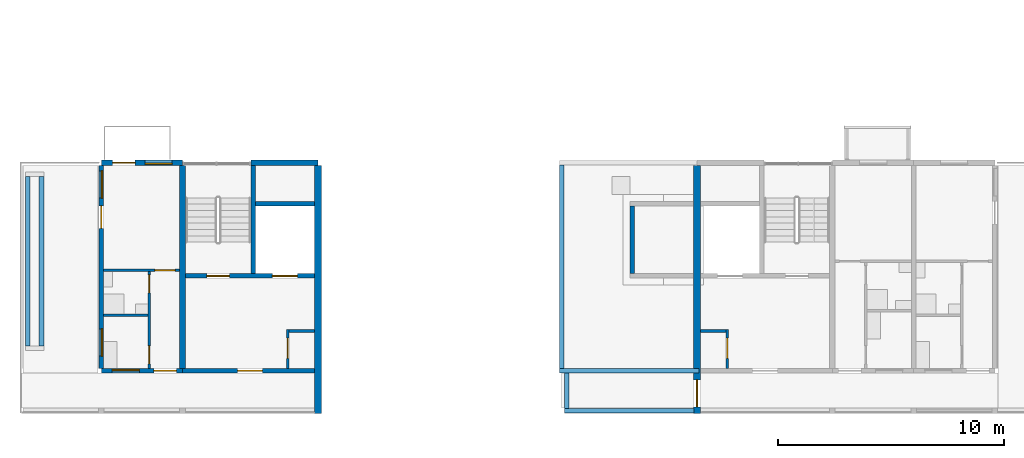
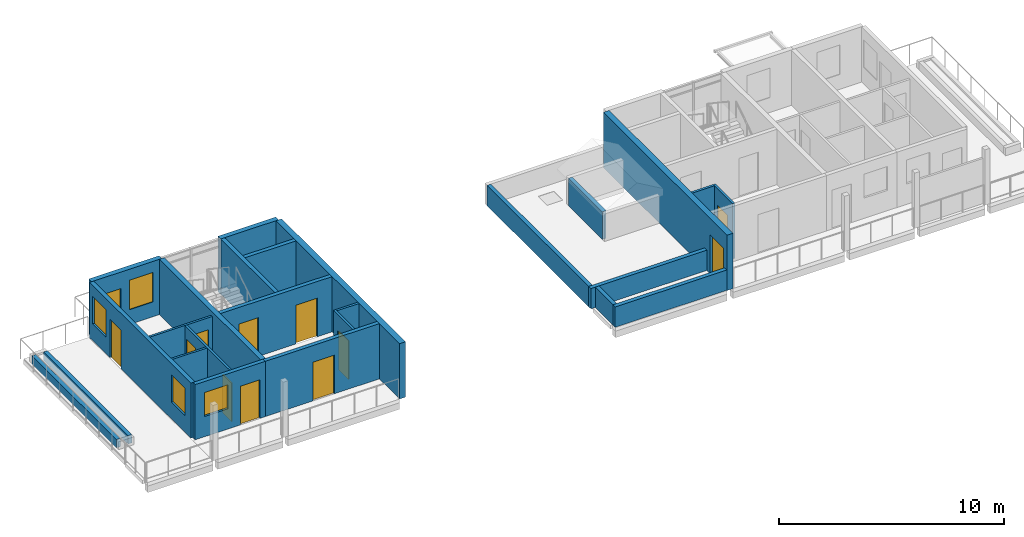
# One storey, part 18 of 41: 25 walls, 12 doors, 4 windows, 16 openings.
"""IFC4 building model written with IfcOpenShell, lengths in metres."""

import ifcopenshell
import ifcopenshell.guid

model = None  # the IFC model being written
_history = None  # IfcOwnerHistory: only IFC2X3 demands one
_inside = {}  # id of a spatial element -> (the spatial element, [elements in it])
_under = {}  # id of a project, library or spatial element -> (it, [spatial elements below it])
_declared = {}  # id of a project -> (the project, [libraries it declares])
_typed = {}  # id of a type object -> (the type object, [elements of that type])
_made_of = {}  # id of a material, layer set ... -> (it, [elements and type objects made of it])


def new_model(schema):
    """Start an empty IFC model of exactly this schema.

    Asked for "IFC4X3", IfcOpenShell would pick the latest addendum, in which some entities
    have other attributes; the version numbers below select the first issue.
    IFC2X3 requires an IfcOwnerHistory on every rooted entity: one is made here for all.
    """
    global model, _history
    if schema == "IFC4X3":
        model = ifcopenshell.file(schema_version=(4, 3, 0, 0))
    else:
        model = ifcopenshell.file(schema=schema)
    _inside.clear()
    _under.clear()
    _declared.clear()
    _typed.clear()
    _made_of.clear()
    _history = None
    if model.schema == "IFC2X3":
        org = make("IfcOrganization", Name="unknown")
        user = make(
            "IfcPersonAndOrganization",
            ThePerson=make("IfcPerson", FamilyName="unknown"),
            TheOrganization=org,
        )
        app = make(
            "IfcApplication",
            ApplicationDeveloper=org,
            Version="unknown",
            ApplicationFullName="unknown",
            ApplicationIdentifier="unknown",
        )
        _history = make(
            "IfcOwnerHistory",
            OwningUser=user,
            OwningApplication=app,
            ChangeAction="ADDED",
            CreationDate=0,
        )
    return model


def make(cls, **values):
    """One entity of the class cls with the attributes given. An attribute that is None is left unset."""
    return model.create_entity(
        cls, **{name: value for name, value in values.items() if value is not None}
    )


def rooted(cls, **values):
    """An entity with a GlobalId (a new one), such as an element, a storey or a relation."""
    return make(cls, GlobalId=ifcopenshell.guid.new(), OwnerHistory=_history, **values)


def si_unit(unit_type, name, prefix=None):
    """IfcSIUnit, for example si_unit("LENGTHUNIT", "METRE", prefix="MILLI")."""
    return make("IfcSIUnit", UnitType=unit_type, Prefix=prefix, Name=name)


def assignment(units):
    """IfcUnitAssignment: the units of a project."""
    return None if units is None else make("IfcUnitAssignment", Units=units)


def point(xyz):
    """IfcCartesianPoint."""
    return None if xyz is None else make("IfcCartesianPoint", Coordinates=xyz)


def direction(xyz):
    """IfcDirection."""
    return None if xyz is None else make("IfcDirection", DirectionRatios=xyz)


def frame(location, z_axis=None, x_axis=None):
    """IfcAxis2Placement3D, a coordinate frame: its origin and axes. An axis left out is left unset."""
    return make(
        "IfcAxis2Placement3D",
        Location=point(location),
        Axis=direction(z_axis),
        RefDirection=direction(x_axis),
    )


def frame_2d(location, x_axis=None):
    """IfcAxis2Placement2D, a coordinate frame in the plane: its origin and x axis."""
    return make(
        "IfcAxis2Placement2D", Location=point(location), RefDirection=direction(x_axis)
    )


def origin():
    """The frame at (0, 0, 0) with its axes left unset."""
    return frame((0.0, 0.0, 0.0))


def place(relative_to, where):
    """IfcLocalPlacement: puts the frame where relative to a parent placement (None: the world)."""
    return make(
        "IfcLocalPlacement", PlacementRelTo=relative_to, RelativePlacement=where
    )


def context(
    kind, dimensions, precision=None, world=None, true_north=None, identifier=None
):
    """IfcGeometricRepresentationContext, for example the 3D "Model" context."""
    return make(
        "IfcGeometricRepresentationContext",
        ContextIdentifier=identifier,
        ContextType=kind,
        CoordinateSpaceDimension=dimensions,
        Precision=precision,
        WorldCoordinateSystem=world,
        TrueNorth=true_north,
    )


def subcontext(parent, identifier, kind, view, scale=None):
    """IfcGeometricRepresentationSubContext, for example "Body" below "Model"."""
    return make(
        "IfcGeometricRepresentationSubContext",
        ContextIdentifier=identifier,
        ContextType=kind,
        ParentContext=parent,
        TargetScale=scale,
        TargetView=view,
    )


def project(units=None, contexts=None):
    """IfcProject with its units and contexts."""
    return rooted(
        "IfcProject",
        Name="project",
        RepresentationContexts=contexts,
        UnitsInContext=assignment(units),
    )


def spatial(cls, under=None, at=None, **own):
    """A site, building, storey or space (cls), placed at a placement, below another one or the project."""
    s = rooted(cls, ObjectPlacement=at, **own)
    if under is not None:
        _under.setdefault(under.id(), (under, []))[1].append(s)
    return s


def profile(cls, at=None, kind="AREA", **sizes):
    """A parametric profile (cls). Its sizes go by their IFC names, for example OverallWidth=200.0."""
    return make(cls, ProfileType=kind, Position=at, **sizes)


def rectangle(**sizes):
    """IfcRectangleProfileDef."""
    return profile("IfcRectangleProfileDef", **sizes)


def extrude(swept, where, along, depth):
    """IfcExtrudedAreaSolid: the profile swept, set in the frame where, extruded along a direction by depth."""
    return make(
        "IfcExtrudedAreaSolid",
        SweptArea=swept,
        Position=where,
        ExtrudedDirection=direction(along),
        Depth=depth,
    )


def shape(context_of_items, identifier, shape_type, items):
    """IfcShapeRepresentation: the items that make up one representation, for example the "Body"."""
    return make(
        "IfcShapeRepresentation",
        ContextOfItems=context_of_items,
        RepresentationIdentifier=identifier,
        RepresentationType=shape_type,
        Items=items,
    )


def material(Name=None, Category=None):
    """IfcMaterial."""
    return make("IfcMaterial", Name=Name, Category=Category)


def layer(
    of_material, thickness, ventilated=None, Name=None, Category=None, Priority=None
):
    """IfcMaterialLayer: one layer of a wall or slab, of a material (None: an air gap)."""
    return make(
        "IfcMaterialLayer",
        Material=of_material,
        LayerThickness=thickness,
        IsVentilated=ventilated,
        Name=Name,
        Category=Category,
        Priority=Priority,
    )


def layer_set(layers, Name=None):
    """IfcMaterialLayerSet."""
    return make("IfcMaterialLayerSet", MaterialLayers=layers, LayerSetName=Name)


def made_of(thing, what):
    """Note that an element or type object is made of a material, layer set ...; save() writes the relation."""
    if what is not None:
        _made_of.setdefault(what.id(), (what, []))[1].append(thing)
    return thing


def type_object(cls, material=None, **own):
    """A type object (cls), such as IfcWallType, which elements share."""
    return made_of(rooted(cls, **own), material)


def element(
    cls,
    number,
    at=None,
    inside=None,
    cuts=None,
    type_object=None,
    material=None,
    context=None,
    identifier="Body",
    shape_type=None,
    held_by="IfcProductDefinitionShape",
    body=None,
    shapes=None,
    **own,
):
    """One element of the class cls, such as IfcWall. Its Tag is "e" and its number.

    at: its placement. inside: the storey or other place that contains it. cuts: it is an
    opening in that element (IfcRelVoidsElement). A single representation is given by context,
    identifier, shape_type and body (its items); several are given by shapes. held_by: the class
    of the entity that holds the representations. save() writes the other relations.
    """
    e = rooted(cls, Tag="e%d" % number, ObjectPlacement=at, **own)
    if body is not None:
        shapes = [shape(context, identifier, shape_type, body)]
    if shapes is not None:
        e.Representation = make(held_by, Representations=shapes)
    if inside is not None:
        _inside.setdefault(inside.id(), (inside, []))[1].append(e)
    if cuts is not None:
        rooted(
            "IfcRelVoidsElement", RelatingBuildingElement=cuts, RelatedOpeningElement=e
        )
    if type_object is not None:
        _typed.setdefault(type_object.id(), (type_object, []))[1].append(e)
    return made_of(e, material)


def fill(opening, filler):
    """IfcRelFillsElement: the door or window that sits in an opening."""
    return rooted(
        "IfcRelFillsElement",
        RelatingOpeningElement=opening,
        RelatedBuildingElement=filler,
    )


def aggregate(whole, parts):
    """IfcRelAggregates: a whole, such as a stair, and the parts it consists of."""
    return rooted("IfcRelAggregates", RelatingObject=whole, RelatedObjects=parts)


def save(model, path):
    """Write the relations noted so far, then the file.

    IfcRelAggregates (storeys below a building ...), IfcRelContainedInSpatialStructure (elements
    in a storey), IfcRelDefinesByType, IfcRelAssociatesMaterial and IfcRelDeclares: one each for
    every whole, place, type object, material and project.
    """
    for whole, parts in _under.values():
        aggregate(whole, parts)
    for where, things in _inside.values():
        rooted(
            "IfcRelContainedInSpatialStructure",
            RelatedElements=things,
            RelatingStructure=where,
        )
    for kind, things in _typed.values():
        rooted("IfcRelDefinesByType", RelatedObjects=things, RelatingType=kind)
    for what, things in _made_of.values():
        rooted("IfcRelAssociatesMaterial", RelatedObjects=things, RelatingMaterial=what)
    for by, libraries in _declared.values():
        rooted("IfcRelDeclares", RelatingContext=by, RelatedDefinitions=libraries)
    model.write(path)


model = new_model("IFC4")

# Units and contexts
model_context = context("Model", 3, precision=1e-05, world=origin(), true_north=direction((0.0, 1.0)))
body_context = subcontext(model_context, "Body", "Model", "MODEL_VIEW")
ifc_project = project(units=[si_unit("LENGTHUNIT", "METRE"), si_unit("AREAUNIT", "SQUARE_METRE"), si_unit("VOLUMEUNIT", "CUBIC_METRE"), si_unit("PLANEANGLEUNIT", "RADIAN"), si_unit("MASSUNIT", "GRAM", prefix="KILO")], contexts=[model_context])

# Site, building, storey
site_placement = place(None, origin())
site = spatial("IfcSite", under=ifc_project, at=site_placement, CompositionType="ELEMENT")
building_placement = place(site_placement, origin())
building = spatial("IfcBuilding", under=site, at=building_placement, Name="Ridgestep Commons", CompositionType="ELEMENT")
storey_placement = place(building_placement, frame((0.0, 0.0, 39.0)))
storey = spatial("IfcBuildingStorey", under=building, at=storey_placement, Name="L13", CompositionType="ELEMENT", Elevation=39.0)

# Wall
ifc_material_1 = material(Name="Concrete C30/37", Category="concrete")
ifc_layer_1 = layer(ifc_material_1, 0.25)
ifc_layer_set_1 = layer_set([ifc_layer_1], Name="Core cross wall 250")
wall_type_1 = type_object("IfcWallType", Name="Core cross wall 250", PredefinedType="SHEAR", material=ifc_layer_set_1)
wall_1_placement = place(storey_placement, frame((22.800048828125, 13.75, 0.0), z_axis=(0.0, 0.0, 1.0), x_axis=(0.0, 1.0, 0.0)))
element("IfcWall", 1, at=wall_1_placement, inside=storey, type_object=wall_type_1, Name="Cross wall A-13-0228", PredefinedType="SHEAR", context=body_context, shape_type="SweptSolid", body=[
    extrude(rectangle(XDim=9.0, YDim=0.25, at=frame_2d((4.5, 0.0))), origin(), (0.0, 0.0, 1.0), 3.0),
])

# Wall, opening, door
ifc_material_2 = material(Name="Concrete C30/37", Category="concrete")
ifc_layer_2 = layer(ifc_material_2, 0.199951171875)
ifc_layer_set_2 = layer_set([ifc_layer_2], Name="Core south wall 200")
wall_type_2 = type_object("IfcWallType", Name="Core south wall 200", PredefinedType="SHEAR", material=ifc_layer_set_2)
wall_2_placement = place(storey_placement, frame((22.800048828125, 13.64990234375, 0.0), z_axis=(0.0, 0.0, 1.0), x_axis=(1.0, 0.0, 0.0)))
wall_2 = element("IfcWall", 2, at=wall_2_placement, inside=storey, type_object=wall_type_2, Name="Core south wall A1C L13", PredefinedType="SHEAR", context=body_context, shape_type="SweptSolid", body=[
    extrude(rectangle(XDim=5.849853515625, YDim=0.199951171875, at=frame_2d((2.9248046875, 0.0))), origin(), (0.0, 0.0, 1.0), 3.0),
])
opening_1_placement = place(wall_2_placement, frame((2.4375, 0.0, 0.0)))
opening_1 = element("IfcOpeningElement", 3, at=opening_1_placement, cuts=wall_2, Name="Opening A1C/13/1", PredefinedType="OPENING", context=body_context, shape_type="SweptSolid", body=[
    extrude(rectangle(XDim=1.10009765625, YDim=2.10009765625, at=frame_2d((0.550048828125, 1.050048828125))), frame((0.0, 0.10986328125, 0.0), z_axis=(0.0, -1.0, 0.0), x_axis=(1.0, 0.0, 0.0)), (0.0, 0.0, 1.0), 0.219970703125),
])
ifc_material_3 = material(Name="Steel fire door", Category="steel")
door_type_1 = type_object("IfcDoorType", Name="Lobby door 1100 x 2100 FD60", OperationType="NOTDEFINED", PredefinedType="DOOR", material=ifc_material_3)
door_1_placement = place(opening_1_placement, origin())
door_1 = element("IfcDoor", 4, at=door_1_placement, inside=storey, type_object=door_type_1, Name="Lobby door A1C/13/1", OperationType="SINGLE_SWING_LEFT", OverallHeight=2.10009765625, OverallWidth=1.10009765625, PredefinedType="DOOR", context=body_context, shape_type="SweptSolid", body=[
    extrude(rectangle(XDim=1.10009765625, YDim=2.10009765625, at=frame_2d((0.550048828125, 1.050048828125))), frame((0.0, 0.02490234375, 0.0), z_axis=(0.0, -1.0, 0.0), x_axis=(1.0, 0.0, 0.0)), (0.0, 0.0, 1.0), 0.050048828125),
])
fill(opening_1, door_1)

ifc_material_4 = material(Name="Concrete C30/37", Category="concrete")
ifc_layer_3 = layer(ifc_material_4, 0.1201171875)
ifc_layer_set_3 = layer_set([ifc_layer_3], Name="Core wall 120")
wall_type_3 = type_object("IfcWallType", Name="Core wall 120", PredefinedType="SHEAR", material=ifc_layer_set_3)
wall_3_placement = place(storey_placement, frame((27.4599609375, 13.75, 0.0), z_axis=(0.0, 0.0, 1.0), x_axis=(0.0, 1.0, 0.0)))
wall_3 = element("IfcWall", 5, at=wall_3_placement, inside=storey, type_object=wall_type_3, Name="Core riser w wall A1C L13", PredefinedType="SHEAR", context=body_context, shape_type="SweptSolid", body=[
    extrude(rectangle(XDim=1.719970703125, YDim=0.1201171875, at=frame_2d((0.85986328125, 0.0))), origin(), (0.0, 0.0, 1.0), 3.0),
])
opening_2_placement = place(wall_3_placement, frame((0.449951171875, 0.0, 0.0)))
opening_2 = element("IfcOpeningElement", 6, at=opening_2_placement, cuts=wall_3, Name="Opening A1C/13/4", PredefinedType="OPENING", context=body_context, shape_type="SweptSolid", body=[
    extrude(rectangle(XDim=0.89990234375, YDim=2.10009765625, at=frame_2d((0.449951171875, 1.050048828125))), frame((0.0, 0.070068359375, 0.0), z_axis=(0.0, -1.0, 0.0), x_axis=(1.0, 0.0, 0.0)), (0.0, 0.0, 1.0), 0.14013671875),
])
ifc_material_5 = material(Name="Steel fire door", Category="steel")
door_type_2 = type_object("IfcDoorType", Name="Riser door 900 x 2100 FD60", OperationType="NOTDEFINED", PredefinedType="DOOR", material=ifc_material_5)
door_2_placement = place(opening_2_placement, origin())
door_2 = element("IfcDoor", 7, at=door_2_placement, inside=storey, type_object=door_type_2, Name="Riser door A1C/13/4", OperationType="SINGLE_SWING_LEFT", OverallHeight=2.10009765625, OverallWidth=0.89990234375, PredefinedType="DOOR", context=body_context, shape_type="SweptSolid", body=[
    extrude(rectangle(XDim=0.89990234375, YDim=2.10009765625, at=frame_2d((0.449951171875, 1.050048828125))), frame((0.0, 0.02490234375, 0.0), z_axis=(0.0, -1.0, 0.0), x_axis=(1.0, 0.0, 0.0)), (0.0, 0.0, 1.0), 0.050048828125),
])
fill(opening_2, door_2)

# Wall
wall_4_placement = place(storey_placement, frame((27.52001953125, 15.409912109375, 0.0), z_axis=(0.0, 0.0, 1.0), x_axis=(1.0, 0.0, 0.0)))
element("IfcWall", 8, at=wall_4_placement, inside=storey, type_object=wall_type_3, Name="Core riser n wall A1C L13", PredefinedType="SHEAR", context=body_context, shape_type="SweptSolid", body=[
    extrude(rectangle(XDim=1.1298828125, YDim=0.1201171875, at=frame_2d((0.56494140625, 0.0))), origin(), (0.0, 0.0, 1.0), 3.0),
])

# Wall, opening, door
wall_5_placement = place(storey_placement, frame((46.93994140625, 13.75, 0.0), z_axis=(0.0, 0.0, 1.0), x_axis=(0.0, 1.0, 0.0)))
wall_5 = element("IfcWall", 9, at=wall_5_placement, inside=storey, type_object=wall_type_3, Name="Core riser w wall A3C L13", PredefinedType="SHEAR", context=body_context, shape_type="SweptSolid", body=[
    extrude(rectangle(XDim=1.719970703125, YDim=0.1201171875, at=frame_2d((0.85986328125, 0.0))), origin(), (0.0, 0.0, 1.0), 3.0),
])
opening_3_placement = place(wall_5_placement, frame((0.449951171875, 0.0, 0.0)))
opening_3 = element("IfcOpeningElement", 10, at=opening_3_placement, cuts=wall_5, Name="Opening A3C/13/4", PredefinedType="OPENING", context=body_context, shape_type="SweptSolid", body=[
    extrude(rectangle(XDim=0.89990234375, YDim=2.10009765625, at=frame_2d((0.449951171875, 1.050048828125))), frame((0.0, 0.070068359375, 0.0), z_axis=(0.0, -1.0, 0.0), x_axis=(1.0, 0.0, 0.0)), (0.0, 0.0, 1.0), 0.14013671875),
])
door_3_placement = place(opening_3_placement, origin())
door_3 = element("IfcDoor", 11, at=door_3_placement, inside=storey, type_object=door_type_2, Name="Riser door A3C/13/4", OperationType="SINGLE_SWING_RIGHT", OverallHeight=2.10009765625, OverallWidth=0.89990234375, PredefinedType="DOOR", context=body_context, shape_type="SweptSolid", body=[
    extrude(rectangle(XDim=0.89990234375, YDim=2.10009765625, at=frame_2d((0.449951171875, 1.050048828125))), frame((0.0, 0.02490234375, 0.0), z_axis=(0.0, -1.0, 0.0), x_axis=(1.0, 0.0, 0.0)), (0.0, 0.0, 1.0), 0.050048828125),
])
fill(opening_3, door_3)

# Wall
wall_6_placement = place(storey_placement, frame((45.75, 15.409912109375, 0.0), z_axis=(0.0, 0.0, 1.0), x_axis=(1.0, 0.0, 0.0)))
element("IfcWall", 12, at=wall_6_placement, inside=storey, type_object=wall_type_3, Name="Core riser n wall A3C L13", PredefinedType="SHEAR", context=body_context, shape_type="SweptSolid", body=[
    extrude(rectangle(XDim=1.1298828125, YDim=0.1201171875, at=frame_2d((0.56494140625, 0.0))), origin(), (0.0, 0.0, 1.0), 3.0),
])

# Wall, openings, doors
ifc_material_6 = material(Name="Concrete C30/37", Category="concrete")
ifc_layer_4 = layer(ifc_material_6, 0.199951171875)
ifc_layer_set_4 = layer_set([ifc_layer_4], Name="Core wall 200")
wall_type_4 = type_object("IfcWallType", Name="Core wall 200", PredefinedType="SHEAR", material=ifc_layer_set_4)
wall_7_placement = place(storey_placement, frame((22.925048828125, 17.85009765625, 0.0), z_axis=(0.0, 0.0, 1.0), x_axis=(1.0, 0.0, 0.0)))
wall_7 = element("IfcWall", 13, at=wall_7_placement, inside=storey, type_object=wall_type_4, Name="Core lobby wall A1C L13", PredefinedType="SHEAR", context=body_context, shape_type="SweptSolid", body=[
    extrude(rectangle(XDim=5.724853515625, YDim=0.199951171875, at=frame_2d((2.8623046875, 0.0))), origin(), (0.0, 0.0, 1.0), 3.0),
])
opening_4_placement = place(wall_7_placement, frame((0.949951171875, 0.0, 0.0)))
opening_4 = element("IfcOpeningElement", 14, at=opening_4_placement, cuts=wall_7, Name="Opening A1C/13/2", PredefinedType="OPENING", context=body_context, shape_type="SweptSolid", body=[
    extrude(rectangle(XDim=1.0, YDim=2.10009765625, at=frame_2d((0.5, 1.050048828125))), frame((0.0, 0.10986328125, 0.0), z_axis=(0.0, -1.0, 0.0), x_axis=(1.0, 0.0, 0.0)), (0.0, 0.0, 1.0), 0.219970703125),
])
opening_5_placement = place(wall_7_placement, frame((3.862548828125, 0.0, 0.0)))
opening_5 = element("IfcOpeningElement", 15, at=opening_5_placement, cuts=wall_7, Name="Opening A1C/13/3", PredefinedType="OPENING", context=body_context, shape_type="SweptSolid", body=[
    extrude(rectangle(XDim=1.10009765625, YDim=2.10009765625, at=frame_2d((0.550048828125, 1.050048828125))), frame((0.0, 0.10986328125, 0.0), z_axis=(0.0, -1.0, 0.0), x_axis=(1.0, 0.0, 0.0)), (0.0, 0.0, 1.0), 0.219970703125),
])
ifc_material_7 = material(Name="Stainless steel", Category="steel")
door_type_3 = type_object("IfcDoorType", Name="Lift landing door 1100 x 2100 FD60", OperationType="DOUBLE_DOOR_SLIDING", PredefinedType="DOOR", material=ifc_material_7)
door_4_placement = place(opening_5_placement, origin())
door_4 = element("IfcDoor", 16, at=door_4_placement, inside=storey, type_object=door_type_3, Name="Landing door LD A1C L13", OperationType="DOUBLE_DOOR_SLIDING", OverallHeight=2.10009765625, OverallWidth=1.10009765625, PredefinedType="DOOR", context=body_context, shape_type="SweptSolid", body=[
    extrude(rectangle(XDim=1.10009765625, YDim=2.10009765625, at=frame_2d((0.550048828125, 1.050048828125))), frame((0.0, 0.02490234375, 0.0), z_axis=(0.0, -1.0, 0.0), x_axis=(1.0, 0.0, 0.0)), (0.0, 0.0, 1.0), 0.050048828125),
])
fill(opening_5, door_4)
ifc_material_8 = material(Name="Steel fire door", Category="steel")
door_type_4 = type_object("IfcDoorType", Name="Stair door 1000 x 2100 FD60", OperationType="NOTDEFINED", PredefinedType="DOOR", material=ifc_material_8)
door_5_placement = place(opening_4_placement, origin())
door_5 = element("IfcDoor", 17, at=door_5_placement, inside=storey, type_object=door_type_4, Name="Stair door A1C/13/2", OperationType="SINGLE_SWING_RIGHT", OverallHeight=2.10009765625, OverallWidth=1.0, PredefinedType="DOOR", context=body_context, shape_type="SweptSolid", body=[
    extrude(rectangle(XDim=1.0, YDim=2.10009765625, at=frame_2d((0.5, 1.050048828125))), frame((0.0, 0.02490234375, 0.0), z_axis=(0.0, -1.0, 0.0), x_axis=(1.0, 0.0, 0.0)), (0.0, 0.0, 1.0), 0.050048828125),
])
fill(opening_4, door_5)

# Walls
wall_8_placement = place(storey_placement, frame((25.925048828125, 17.949951171875, 0.0), z_axis=(0.0, 0.0, 1.0), x_axis=(0.0, 1.0, 0.0)))
element("IfcWall", 18, at=wall_8_placement, inside=storey, type_object=wall_type_4, Name="Core stair wall A1C L13", PredefinedType="SHEAR", context=body_context, shape_type="SweptSolid", body=[
    extrude(rectangle(XDim=4.800048828125, YDim=0.199951171875, at=frame_2d((2.39990234375, 0.0))), origin(), (0.0, 0.0, 1.0), 3.0),
])
wall_9_placement = place(storey_placement, frame((26.02490234375, 21.050048828125, 0.0), z_axis=(0.0, 0.0, 1.0), x_axis=(1.0, 0.0, 0.0)))
element("IfcWall", 19, at=wall_9_placement, inside=storey, type_object=wall_type_4, Name="Core duct wall A1C L13", PredefinedType="SHEAR", context=body_context, shape_type="SweptSolid", body=[
    extrude(rectangle(XDim=2.625, YDim=0.199951171875, at=frame_2d((1.3125, 0.0))), origin(), (0.0, 0.0, 1.0), 3.0),
])

# Wall, openings, windows, door
ifc_material_9 = material(Name="Precast concrete C40/50", Category="concrete")
ifc_layer_5 = layer(ifc_material_9, 0.199951171875)
ifc_layer_set_5 = layer_set([ifc_layer_5], Name="Exposed cross wall 200")
wall_type_5 = type_object("IfcWallType", Name="Exposed cross wall 200", PredefinedType="SHEAR", material=ifc_layer_set_5)
wall_10_placement = place(storey_placement, frame((19.199951171875, 13.75, 0.0), z_axis=(0.0, 0.0, 1.0), x_axis=(0.0, 1.0, 0.0)))
wall_10 = element("IfcWall", 20, at=wall_10_placement, inside=storey, type_object=wall_type_5, Name="Cross wall A-13-0192", PredefinedType="SHEAR", context=body_context, shape_type="SweptSolid", body=[
    extrude(rectangle(XDim=9.0, YDim=0.199951171875, at=frame_2d((4.5, 0.0))), origin(), (0.0, 0.0, 1.0), 3.0),
])
opening_6_placement = place(wall_10_placement, frame((0.550048828125, 0.0, 0.89990234375)))
opening_6 = element("IfcOpeningElement", 21, at=opening_6_placement, cuts=wall_10, Name="Opening W10", PredefinedType="OPENING", context=body_context, shape_type="SweptSolid", body=[
    extrude(rectangle(XDim=1.199951171875, YDim=1.5, at=frame_2d((0.60009765625, 0.75))), frame((0.0, 0.10986328125, 0.0), z_axis=(0.0, -1.0, 0.0), x_axis=(1.0, 0.0, 0.0)), (0.0, 0.0, 1.0), 0.219970703125),
])
opening_7_placement = place(wall_10_placement, frame((7.552490234375, 0.0, 0.89990234375)))
opening_7 = element("IfcOpeningElement", 22, at=opening_7_placement, cuts=wall_10, Name="Opening W10", PredefinedType="OPENING", context=body_context, shape_type="SweptSolid", body=[
    extrude(rectangle(XDim=1.199951171875, YDim=1.5, at=frame_2d((0.60009765625, 0.75))), frame((0.0, 0.10986328125, 0.0), z_axis=(0.0, -1.0, 0.0), x_axis=(1.0, 0.0, 0.0)), (0.0, 0.0, 1.0), 0.219970703125),
])
opening_8_placement = place(wall_10_placement, frame((6.205078125, 0.0, 0.0)))
opening_8 = element("IfcOpeningElement", 23, at=opening_8_placement, cuts=wall_10, Name="Opening A1-13a/5", PredefinedType="OPENING", context=body_context, shape_type="SweptSolid", body=[
    extrude(rectangle(XDim=1.0, YDim=2.10009765625, at=frame_2d((0.5, 1.050048828125))), frame((0.0, 0.10986328125, 0.0), z_axis=(0.0, -1.0, 0.0), x_axis=(1.0, 0.0, 0.0)), (0.0, 0.0, 1.0), 0.219970703125),
])
ifc_material_10 = material(Name="Aluminium 6063-T6 and glass", Category="aluminium")
window_type_1 = type_object("IfcWindowType", Name="Flat window 1200 x 1500", PartitioningType="SINGLE_PANEL", PredefinedType="WINDOW", material=ifc_material_10)
window_1_placement = place(opening_6_placement, origin())
window_1 = element("IfcWindow", 24, at=window_1_placement, inside=storey, type_object=window_type_1, Name="Window A1-13a 3", OverallHeight=1.5, OverallWidth=1.199951171875, PartitioningType="SINGLE_PANEL", PredefinedType="WINDOW", context=body_context, shape_type="SweptSolid", body=[
    extrude(rectangle(XDim=1.199951171875, YDim=1.5, at=frame_2d((0.60009765625, 0.75))), frame((0.0, 0.0, 0.0), z_axis=(0.0, -1.0, 0.0), x_axis=(1.0, 0.0, 0.0)), (0.0, 0.0, 1.0), 0.06005859375),
])
fill(opening_6, window_1)
window_2_placement = place(opening_7_placement, origin())
window_2 = element("IfcWindow", 25, at=window_2_placement, inside=storey, type_object=window_type_1, Name="Window A1-13a 4", OverallHeight=1.5, OverallWidth=1.199951171875, PartitioningType="SINGLE_PANEL", PredefinedType="WINDOW", context=body_context, shape_type="SweptSolid", body=[
    extrude(rectangle(XDim=1.199951171875, YDim=1.5, at=frame_2d((0.60009765625, 0.75))), frame((0.0, 0.0, 0.0), z_axis=(0.0, -1.0, 0.0), x_axis=(1.0, 0.0, 0.0)), (0.0, 0.0, 1.0), 0.06005859375),
])
fill(opening_7, window_2)
ifc_material_11 = material(Name="Aluminium and glass", Category="aluminium")
door_type_5 = type_object("IfcDoorType", Name="Terrace door 1000 x 2100", OperationType="NOTDEFINED", PredefinedType="DOOR", material=ifc_material_11)
door_6_placement = place(opening_8_placement, origin())
door_6 = element("IfcDoor", 26, at=door_6_placement, inside=storey, type_object=door_type_5, Name="Terrace door A1-13a/5", OperationType="SINGLE_SWING_RIGHT", OverallHeight=2.10009765625, OverallWidth=1.0, PredefinedType="DOOR", context=body_context, shape_type="SweptSolid", body=[
    extrude(rectangle(XDim=1.0, YDim=2.10009765625, at=frame_2d((0.5, 1.050048828125))), frame((0.0, 0.02490234375, 0.0), z_axis=(0.0, -1.0, 0.0), x_axis=(1.0, 0.0, 0.0)), (0.0, 0.0, 1.0), 0.050048828125),
])
fill(opening_8, door_6)

# Wall
ifc_material_12 = material(Name="Precast concrete C40/50", Category="concrete")
ifc_layer_6 = layer(ifc_material_12, 0.300048828125)
ifc_layer_set_6 = layer_set([ifc_layer_6], Name="Exposed division wall 300")
wall_type_6 = type_object("IfcWallType", Name="Exposed division wall 300", PredefinedType="SHEAR", material=ifc_layer_set_6)
wall_11_placement = place(storey_placement, frame((28.800048828125, 11.75, 0.0), z_axis=(0.0, 0.0, 1.0), x_axis=(0.0, 1.0, 0.0)))
element("IfcWall", 27, at=wall_11_placement, inside=storey, type_object=wall_type_6, Name="Cross wall A-13-0288", PredefinedType="SHEAR", context=body_context, shape_type="SweptSolid", body=[
    extrude(rectangle(XDim=11.0, YDim=0.300048828125, at=frame_2d((5.5, 0.0))), origin(), (0.0, 0.0, 1.0), 3.0),
])

# Wall, opening, door
wall_12_placement = place(storey_placement, frame((45.60009765625, 11.75, 0.0), z_axis=(0.0, 0.0, 1.0), x_axis=(0.0, 1.0, 0.0)))
wall_12 = element("IfcWall", 28, at=wall_12_placement, inside=storey, type_object=wall_type_6, Name="Cross wall A-13-0456", PredefinedType="SHEAR", context=body_context, shape_type="SweptSolid", body=[
    extrude(rectangle(XDim=11.0, YDim=0.300048828125, at=frame_2d((5.5, 0.0))), origin(), (0.0, 0.0, 1.0), 3.0),
])
opening_9_placement = place(wall_12_placement, frame((0.300048828125, 0.0, 0.0)))
opening_9 = element("IfcOpeningElement", 29, at=opening_9_placement, cuts=wall_12, Name="Opening A/13/G0456", PredefinedType="OPENING", context=body_context, shape_type="SweptSolid", body=[
    extrude(rectangle(XDim=1.199951171875, YDim=2.10009765625, at=frame_2d((0.60009765625, 1.050048828125))), frame((0.0, 0.159912109375, 0.0), z_axis=(0.0, -1.0, 0.0), x_axis=(1.0, 0.0, 0.0)), (0.0, 0.0, 1.0), 0.320068359375),
])
ifc_material_13 = material(Name="Steel fire door", Category="steel")
door_type_6 = type_object("IfcDoorType", Name="Division fire door 1200 x 2100 EI 240", OperationType="DOUBLE_DOOR_SINGLE_SWING", PredefinedType="DOOR", material=ifc_material_13)
door_7_placement = place(opening_9_placement, origin())
door_7 = element("IfcDoor", 30, at=door_7_placement, inside=storey, type_object=door_type_6, Name="Division fire door A/13/G0456", OperationType="DOUBLE_DOOR_SINGLE_SWING", OverallHeight=2.10009765625, OverallWidth=1.199951171875, PredefinedType="DOOR", context=body_context, shape_type="SweptSolid", body=[
    extrude(rectangle(XDim=1.199951171875, YDim=2.10009765625, at=frame_2d((0.60009765625, 1.050048828125))), frame((0.0, 0.02490234375, 0.0), z_axis=(0.0, -1.0, 0.0), x_axis=(1.0, 0.0, 0.0)), (0.0, 0.0, 1.0), 0.050048828125),
])
fill(opening_9, door_7)

# Wall
ifc_material_14 = material(Name="Concrete C30/37", Category="concrete")
ifc_layer_7 = layer(ifc_material_14, 0.199951171875)
ifc_layer_set_7 = layer_set([ifc_layer_7], Name="Lift overrun wall 200")
wall_type_7 = type_object("IfcWallType", Name="Lift overrun wall 200", PredefinedType="SHEAR", material=ifc_layer_set_7)
wall_13_placement = place(storey_placement, frame((42.72509765625, 17.949951171875, 0.0), z_axis=(0.0, 0.0, 1.0), x_axis=(0.0, 1.0, 0.0)))
element("IfcWall", 31, at=wall_13_placement, inside=storey, type_object=wall_type_7, Name="Lift overrun wall A2C", PredefinedType="SHEAR", context=body_context, shape_type="SweptSolid", body=[
    extrude(rectangle(XDim=3.0, YDim=0.199951171875, at=frame_2d((1.5, 0.0))), origin(), (0.0, 0.0, 1.0), 1.5),
])

# Wall, openings, door, window
ifc_material_15 = material(Name="Precast concrete C40/50", Category="concrete")
ifc_layer_8 = layer(ifc_material_15, 0.25)
ifc_layer_set_8 = layer_set([ifc_layer_8], Name="North facade panel 250")
wall_type_8 = type_object("IfcWallType", Name="North facade panel 250", PredefinedType="SOLIDWALL", material=ifc_layer_set_8)
wall_14_placement = place(storey_placement, frame((19.199951171875, 22.875, 0.0), z_axis=(0.0, 0.0, 1.0), x_axis=(1.0, 0.0, 0.0)))
wall_14 = element("IfcWall", 32, at=wall_14_placement, inside=storey, type_object=wall_type_8, Name="North panel A1T3 L13", PredefinedType="SOLIDWALL", context=body_context, shape_type="SweptSolid", body=[
    extrude(rectangle(XDim=3.60009765625, YDim=0.25, at=frame_2d((1.800048828125, 0.0))), origin(), (0.0, 0.0, 1.0), 3.0),
])
opening_10_placement = place(wall_14_placement, frame((1.9375, 0.0, 0.800048828125)))
opening_10 = element("IfcOpeningElement", 33, at=opening_10_placement, cuts=wall_14, Name="Opening W11", PredefinedType="OPENING", context=body_context, shape_type="SweptSolid", body=[
    extrude(rectangle(XDim=1.199951171875, YDim=1.60009765625, at=frame_2d((0.60009765625, 0.800048828125))), frame((0.0, 0.135009765625, 0.0), z_axis=(0.0, -1.0, 0.0), x_axis=(1.0, 0.0, 0.0)), (0.0, 0.0, 1.0), 0.27001953125),
])
opening_11_placement = place(wall_14_placement, frame((0.5, 0.0, 0.0)))
opening_11 = element("IfcOpeningElement", 34, at=opening_11_placement, cuts=wall_14, Name="Opening A1-13a/6", PredefinedType="OPENING", context=body_context, shape_type="SweptSolid", body=[
    extrude(rectangle(XDim=1.0, YDim=2.10009765625, at=frame_2d((0.5, 1.050048828125))), frame((0.0, 0.135009765625, 0.0), z_axis=(0.0, -1.0, 0.0), x_axis=(1.0, 0.0, 0.0)), (0.0, 0.0, 1.0), 0.27001953125),
])
ifc_material_16 = material(Name="Aluminium and glass", Category="aluminium")
door_type_7 = type_object("IfcDoorType", Name="Balcony door 1000 x 2100", OperationType="NOTDEFINED", PredefinedType="DOOR", material=ifc_material_16)
door_8_placement = place(opening_11_placement, origin())
door_8 = element("IfcDoor", 35, at=door_8_placement, inside=storey, type_object=door_type_7, Name="Balcony door A1-13a/6", OperationType="SINGLE_SWING_RIGHT", OverallHeight=2.10009765625, OverallWidth=1.0, PredefinedType="DOOR", context=body_context, shape_type="SweptSolid", body=[
    extrude(rectangle(XDim=1.0, YDim=2.10009765625, at=frame_2d((0.5, 1.050048828125))), frame((0.0, 0.02490234375, 0.0), z_axis=(0.0, -1.0, 0.0), x_axis=(1.0, 0.0, 0.0)), (0.0, 0.0, 1.0), 0.050048828125),
])
fill(opening_11, door_8)
ifc_material_17 = material(Name="Aluminium 6063-T6 and glass", Category="aluminium")
window_type_2 = type_object("IfcWindowType", Name="Flat window 1200 x 1600", PartitioningType="SINGLE_PANEL", PredefinedType="WINDOW", material=ifc_material_17)
window_3_placement = place(opening_10_placement, origin())
window_3 = element("IfcWindow", 36, at=window_3_placement, inside=storey, type_object=window_type_2, Name="Window A1-13a 2", OverallHeight=1.60009765625, OverallWidth=1.199951171875, PartitioningType="SINGLE_PANEL", PredefinedType="WINDOW", context=body_context, shape_type="SweptSolid", body=[
    extrude(rectangle(XDim=1.199951171875, YDim=1.60009765625, at=frame_2d((0.60009765625, 0.800048828125))), frame((0.0, -0.02490234375, 0.0), z_axis=(0.0, -1.0, 0.0), x_axis=(1.0, 0.0, 0.0)), (0.0, 0.0, 1.0), 0.06005859375),
])
fill(opening_10, window_3)

# Walls
wall_15_placement = place(storey_placement, frame((25.824951171875, 22.875, 0.0), z_axis=(0.0, 0.0, 1.0), x_axis=(1.0, 0.0, 0.0)))
element("IfcWall", 37, at=wall_15_placement, inside=storey, type_object=wall_type_8, Name="North panel A1C L13", PredefinedType="SOLIDWALL", context=body_context, shape_type="SweptSolid", body=[
    extrude(rectangle(XDim=2.97509765625, YDim=0.25, at=frame_2d((1.487548828125, 0.0))), origin(), (0.0, 0.0, 1.0), 3.0),
])
ifc_material_18 = material(Name="Precast concrete C40/50", Category="concrete")
ifc_layer_9 = layer(ifc_material_18, 0.199951171875)
ifc_layer_set_9 = layer_set([ifc_layer_9], Name="Parapet wall 200")
wall_type_9 = type_object("IfcWallType", Name="Parapet wall 200", PredefinedType="PARAPET", material=ifc_layer_set_9)
wall_16_placement = place(storey_placement, frame((39.5, 13.64990234375, 0.0), z_axis=(0.0, 0.0, 1.0), x_axis=(1.0, 0.0, 0.0)))
element("IfcWall", 38, at=wall_16_placement, inside=storey, type_object=wall_type_9, Name="Parapet A2C south", PredefinedType="PARAPET", context=body_context, shape_type="SweptSolid", body=[
    extrude(rectangle(XDim=6.199951171875, YDim=0.199951171875, at=frame_2d((3.10009765625, 0.0))), origin(), (0.0, 0.0, 1.0), 1.10009765625),
])
wall_17_placement = place(storey_placement, frame((39.60009765625, 13.75, 0.0), z_axis=(0.0, 0.0, 1.0), x_axis=(0.0, 1.0, 0.0)))
element("IfcWall", 39, at=wall_17_placement, inside=storey, type_object=wall_type_9, Name="Parapet A2C west", PredefinedType="PARAPET", context=body_context, shape_type="SweptSolid", body=[
    extrude(rectangle(XDim=9.02490234375, YDim=0.199951171875, at=frame_2d((4.512451171875, 0.0))), origin(), (0.0, 0.0, 1.0), 1.10009765625),
])
wall_18_placement = place(storey_placement, frame((39.72509765625, 11.875, 0.0), z_axis=(0.0, 0.0, 1.0), x_axis=(1.0, 0.0, 0.0)))
element("IfcWall", 40, at=wall_18_placement, inside=storey, type_object=wall_type_9, Name="Parapet A2C gallery south", PredefinedType="PARAPET", context=body_context, shape_type="SweptSolid", body=[
    extrude(rectangle(XDim=5.75, YDim=0.199951171875, at=frame_2d((2.875, 0.0))), origin(), (0.0, 0.0, 1.0), 1.10009765625),
])
wall_19_placement = place(storey_placement, frame((39.824951171875, 11.97509765625, 0.0), z_axis=(0.0, 0.0, 1.0), x_axis=(0.0, 1.0, 0.0)))
element("IfcWall", 41, at=wall_19_placement, inside=storey, type_object=wall_type_9, Name="Parapet A2C gallery west", PredefinedType="PARAPET", context=body_context, shape_type="SweptSolid", body=[
    extrude(rectangle(XDim=1.574951171875, YDim=0.199951171875, at=frame_2d((0.78759765625, 0.0))), origin(), (0.0, 0.0, 1.0), 1.10009765625),
])
ifc_material_19 = material(Name="Common brick 110 mm", Category="masonry")
ifc_layer_10 = layer(ifc_material_19, 0.110107421875)
ifc_layer_set_10 = layer_set([ifc_layer_10], Name="Partition 110")
wall_type_10 = type_object("IfcWallType", Name="Partition 110", PredefinedType="PARTITIONING", material=ifc_layer_set_10)
wall_20_placement = place(storey_placement, frame((19.300048828125, 16.10498046875, 0.0), z_axis=(0.0, 0.0, 1.0), x_axis=(1.0, 0.0, 0.0)))
element("IfcWall", 42, at=wall_20_placement, inside=storey, type_object=wall_type_10, Name="Partition A1-13a", PredefinedType="PARTITIONING", context=body_context, shape_type="SweptSolid", body=[
    extrude(rectangle(XDim=1.96484375, YDim=0.110107421875, at=frame_2d((0.982421875, 0.0))), origin(), (0.0, 0.0, 1.0), 2.75),
])

# Wall, openings, doors
wall_21_placement = place(storey_placement, frame((21.320068359375, 13.75, 0.0), z_axis=(0.0, 0.0, 1.0), x_axis=(0.0, 1.0, 0.0)))
wall_21 = element("IfcWall", 43, at=wall_21_placement, inside=storey, type_object=wall_type_10, Name="Partition A1-13a", PredefinedType="PARTITIONING", context=body_context, shape_type="SweptSolid", body=[
    extrude(rectangle(XDim=4.300048828125, YDim=0.110107421875, at=frame_2d((2.14990234375, 0.0))), origin(), (0.0, 0.0, 1.0), 2.75),
])
opening_12_placement = place(wall_21_placement, frame((0.199951171875, 0.0, 0.0)))
opening_12 = element("IfcOpeningElement", 44, at=opening_12_placement, cuts=wall_21, Name="Opening A1-13a/2", PredefinedType="OPENING", context=body_context, shape_type="SweptSolid", body=[
    extrude(rectangle(XDim=0.800048828125, YDim=2.10009765625, at=frame_2d((0.39990234375, 1.050048828125))), frame((0.0, 0.06494140625, 0.0), z_axis=(0.0, -1.0, 0.0), x_axis=(1.0, 0.0, 0.0)), (0.0, 0.0, 1.0), 0.130126953125),
])
opening_13_placement = place(wall_21_placement, frame((3.35009765625, 0.0, 0.0)))
opening_13 = element("IfcOpeningElement", 45, at=opening_13_placement, cuts=wall_21, Name="Opening A1-13a/3", PredefinedType="OPENING", context=body_context, shape_type="SweptSolid", body=[
    extrude(rectangle(XDim=0.800048828125, YDim=2.10009765625, at=frame_2d((0.39990234375, 1.050048828125))), frame((0.0, 0.06494140625, 0.0), z_axis=(0.0, -1.0, 0.0), x_axis=(1.0, 0.0, 0.0)), (0.0, 0.0, 1.0), 0.130126953125),
])
ifc_material_20 = material(Name="Timber door leaf", Category="wood")
door_type_8 = type_object("IfcDoorType", Name="Internal door 800 x 2100", OperationType="NOTDEFINED", PredefinedType="DOOR", material=ifc_material_20)
door_9_placement = place(opening_12_placement, origin())
door_9 = element("IfcDoor", 46, at=door_9_placement, inside=storey, type_object=door_type_8, Name="Internal door A1-13a/2", OperationType="SINGLE_SWING_LEFT", OverallHeight=2.10009765625, OverallWidth=0.800048828125, PredefinedType="DOOR", context=body_context, shape_type="SweptSolid", body=[
    extrude(rectangle(XDim=0.800048828125, YDim=2.10009765625, at=frame_2d((0.39990234375, 1.050048828125))), frame((0.0, 0.02490234375, 0.0), z_axis=(0.0, -1.0, 0.0), x_axis=(1.0, 0.0, 0.0)), (0.0, 0.0, 1.0), 0.050048828125),
])
fill(opening_12, door_9)
door_10_placement = place(opening_13_placement, origin())
door_10 = element("IfcDoor", 47, at=door_10_placement, inside=storey, type_object=door_type_8, Name="Internal door A1-13a/3", OperationType="SINGLE_SWING_RIGHT", OverallHeight=2.10009765625, OverallWidth=0.800048828125, PredefinedType="DOOR", context=body_context, shape_type="SweptSolid", body=[
    extrude(rectangle(XDim=0.800048828125, YDim=2.10009765625, at=frame_2d((0.39990234375, 1.050048828125))), frame((0.0, 0.02490234375, 0.0), z_axis=(0.0, -1.0, 0.0), x_axis=(1.0, 0.0, 0.0)), (0.0, 0.0, 1.0), 0.050048828125),
])
fill(opening_13, door_10)

# Wall, opening, door
wall_22_placement = place(storey_placement, frame((19.300048828125, 18.10498046875, 0.0), z_axis=(0.0, 0.0, 1.0), x_axis=(1.0, 0.0, 0.0)))
wall_22 = element("IfcWall", 48, at=wall_22_placement, inside=storey, type_object=wall_type_10, Name="Partition A1-13a", PredefinedType="PARTITIONING", context=body_context, shape_type="SweptSolid", body=[
    extrude(rectangle(XDim=3.375, YDim=0.110107421875, at=frame_2d((1.6875, 0.0))), origin(), (0.0, 0.0, 1.0), 2.75),
])
opening_14_placement = place(wall_22_placement, frame((2.27490234375, 0.0, 0.0)))
opening_14 = element("IfcOpeningElement", 49, at=opening_14_placement, cuts=wall_22, Name="Opening A1-13a/4", PredefinedType="OPENING", context=body_context, shape_type="SweptSolid", body=[
    extrude(rectangle(XDim=0.89990234375, YDim=2.10009765625, at=frame_2d((0.449951171875, 1.050048828125))), frame((0.0, 0.06494140625, 0.0), z_axis=(0.0, -1.0, 0.0), x_axis=(1.0, 0.0, 0.0)), (0.0, 0.0, 1.0), 0.130126953125),
])
ifc_material_21 = material(Name="Timber door leaf", Category="wood")
door_type_9 = type_object("IfcDoorType", Name="Internal door 900 x 2100", OperationType="NOTDEFINED", PredefinedType="DOOR", material=ifc_material_21)
door_11_placement = place(opening_14_placement, origin())
door_11 = element("IfcDoor", 50, at=door_11_placement, inside=storey, type_object=door_type_9, Name="Internal door A1-13a/4", OperationType="SINGLE_SWING_LEFT", OverallHeight=2.10009765625, OverallWidth=0.89990234375, PredefinedType="DOOR", context=body_context, shape_type="SweptSolid", body=[
    extrude(rectangle(XDim=0.89990234375, YDim=2.10009765625, at=frame_2d((0.449951171875, 1.050048828125))), frame((0.0, 0.02490234375, 0.0), z_axis=(0.0, -1.0, 0.0), x_axis=(1.0, 0.0, 0.0)), (0.0, 0.0, 1.0), 0.050048828125),
])
fill(opening_14, door_11)

# Walls
ifc_material_22 = material(Name="Facing brick", Category="masonry")
ifc_layer_11 = layer(ifc_material_22, 0.199951171875)
ifc_layer_set_11 = layer_set([ifc_layer_11], Name="Planter wall 200")
wall_type_11 = type_object("IfcWallType", Name="Planter wall 200", PredefinedType="SOLIDWALL", material=ifc_layer_set_11)
for number, where, z_axis, x_axis, name in (
    (51, (15.949951171875, 14.75, 0.010009765625), (0.0, 0.0, 1.0), (0.0, 1.0, 0.0), "Planter wall A1R2W"),
    (52, (16.550048828125, 14.75, 0.010009765625), (0.0, 0.0, 1.0), (0.0, 1.0, 0.0), "Planter wall A1R2E"),
):
    element("IfcWall", number, at=place(storey_placement, frame(where, z_axis=z_axis, x_axis=x_axis)), inside=storey, type_object=wall_type_11, Name=name, PredefinedType="SOLIDWALL", context=body_context, shape_type="SweptSolid", body=[
        extrude(rectangle(XDim=7.5, YDim=0.199951171875, at=frame_2d((3.75, 0.0))), origin(), (0.0, 0.0, 1.0), 0.449951171875),
    ])

# Wall, openings, door, window
ifc_material_23 = material(Name="Precast concrete C40/50", Category="concrete")
ifc_layer_12 = layer(ifc_material_23, 0.199951171875)
ifc_layer_set_12 = layer_set([ifc_layer_12], Name="South facade panel 200")
wall_type_12 = type_object("IfcWallType", Name="South facade panel 200", PredefinedType="SOLIDWALL", material=ifc_layer_set_12)
wall_23_placement = place(storey_placement, frame((19.199951171875, 13.64990234375, 0.0), z_axis=(0.0, 0.0, 1.0), x_axis=(1.0, 0.0, 0.0)))
wall_23 = element("IfcWall", 53, at=wall_23_placement, inside=storey, type_object=wall_type_12, Name="South panel A1T3 L13", PredefinedType="SOLIDWALL", context=body_context, shape_type="SweptSolid", body=[
    extrude(rectangle(XDim=3.60009765625, YDim=0.199951171875, at=frame_2d((1.800048828125, 0.0))), origin(), (0.0, 0.0, 1.0), 3.0),
])
opening_15_placement = place(wall_23_placement, frame((0.482421875, 0.0, 1.10009765625)))
opening_15 = element("IfcOpeningElement", 54, at=opening_15_placement, cuts=wall_23, Name="Opening W08", PredefinedType="OPENING", context=body_context, shape_type="SweptSolid", body=[
    extrude(rectangle(XDim=1.199951171875, YDim=1.300048828125, at=frame_2d((0.60009765625, 0.64990234375))), frame((0.0, 0.10986328125, 0.0), z_axis=(0.0, -1.0, 0.0), x_axis=(1.0, 0.0, 0.0)), (0.0, 0.0, 1.0), 0.219970703125),
])
opening_16_placement = place(wall_23_placement, frame((2.324951171875, 0.0, 0.0)))
opening_16 = element("IfcOpeningElement", 55, at=opening_16_placement, cuts=wall_23, Name="Opening A1-13a/1", PredefinedType="OPENING", context=body_context, shape_type="SweptSolid", body=[
    extrude(rectangle(XDim=1.0, YDim=2.10009765625, at=frame_2d((0.5, 1.050048828125))), frame((0.0, 0.10986328125, 0.0), z_axis=(0.0, -1.0, 0.0), x_axis=(1.0, 0.0, 0.0)), (0.0, 0.0, 1.0), 0.219970703125),
])
ifc_material_24 = material(Name="Timber door leaf", Category="wood")
door_type_10 = type_object("IfcDoorType", Name="Flat entrance door 1000 x 2100 FD30S", OperationType="NOTDEFINED", PredefinedType="DOOR", material=ifc_material_24)
door_12_placement = place(opening_16_placement, origin())
door_12 = element("IfcDoor", 56, at=door_12_placement, inside=storey, type_object=door_type_10, Name="Flat entrance door A1-13a/1", OperationType="SINGLE_SWING_RIGHT", OverallHeight=2.10009765625, OverallWidth=1.0, PredefinedType="DOOR", context=body_context, shape_type="SweptSolid", body=[
    extrude(rectangle(XDim=1.0, YDim=2.10009765625, at=frame_2d((0.5, 1.050048828125))), frame((0.0, 0.02490234375, 0.0), z_axis=(0.0, -1.0, 0.0), x_axis=(1.0, 0.0, 0.0)), (0.0, 0.0, 1.0), 0.050048828125),
])
fill(opening_16, door_12)
ifc_material_25 = material(Name="Aluminium 6063-T6 and glass", Category="aluminium")
window_type_3 = type_object("IfcWindowType", Name="Flat window 1200 x 1300", PartitioningType="SINGLE_PANEL", PredefinedType="WINDOW", material=ifc_material_25)
window_4_placement = place(opening_15_placement, origin())
window_4 = element("IfcWindow", 57, at=window_4_placement, inside=storey, type_object=window_type_3, Name="Window A1-13a 1", OverallHeight=1.300048828125, OverallWidth=1.199951171875, PartitioningType="SINGLE_PANEL", PredefinedType="WINDOW", context=body_context, shape_type="SweptSolid", body=[
    extrude(rectangle(XDim=1.199951171875, YDim=1.300048828125, at=frame_2d((0.60009765625, 0.64990234375))), frame((0.0, 0.06005859375, 0.0), z_axis=(0.0, -1.0, 0.0), x_axis=(1.0, 0.0, 0.0)), (0.0, 0.0, 1.0), 0.06005859375),
])
fill(opening_15, window_4)

save(model, "model.ifc")
